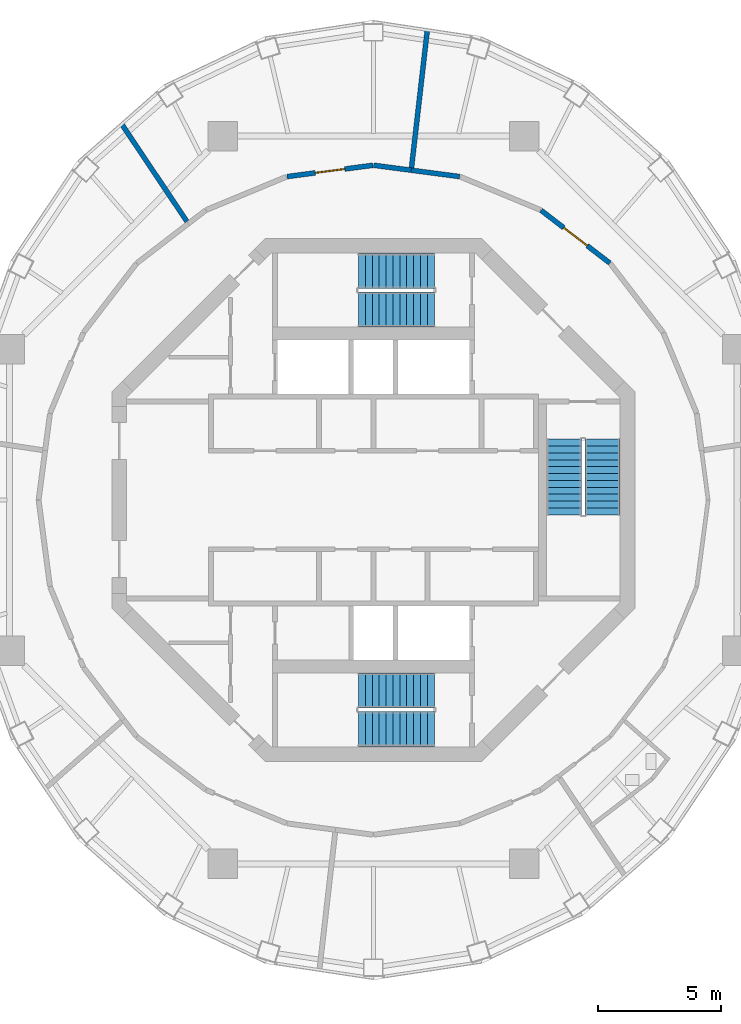
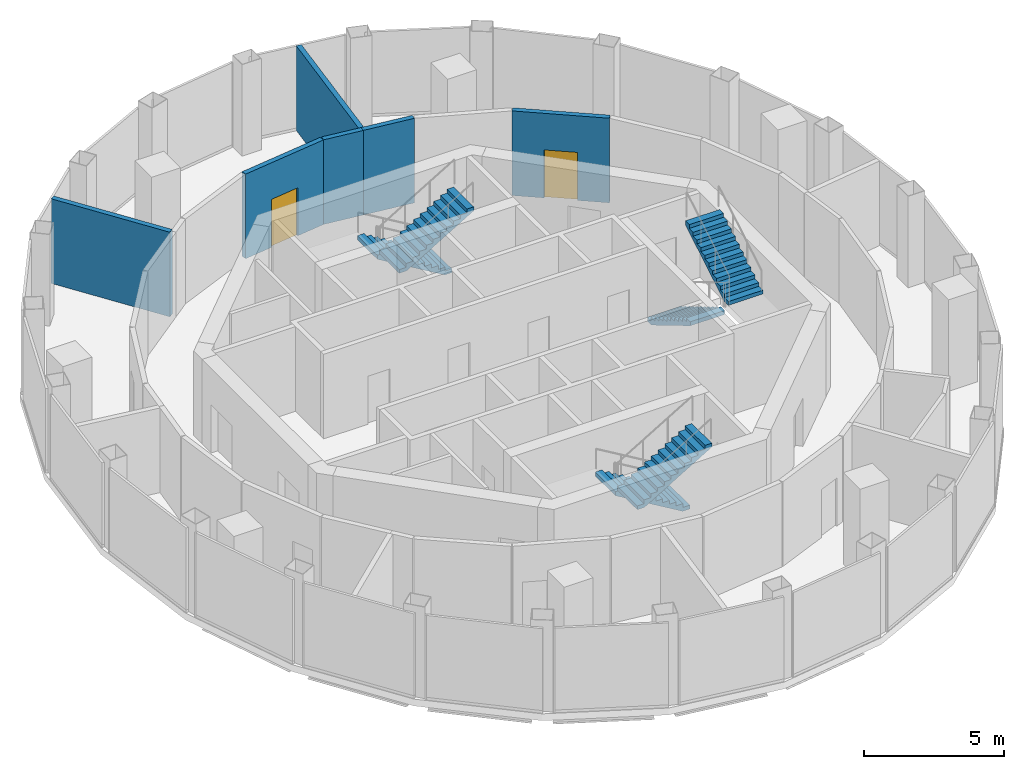
# One storey, part 10 of 12: 6 stair flights, 6 walls, 2 doors, 2 openings, 3 elements without a shape of their own.
"""IFC4 building model written with IfcOpenShell, lengths in metres."""

from ifc_helpers import new_model, si_unit, direction, frame, frame_2d, origin, place, context, subcontext, project, spatial, polyline, rectangle, outline, extrude, material, layer, layer_set, type_object, element, fill, aggregate, save


model = new_model("IFC4")

# Units and contexts
model_context = context("Model", 3, precision=1e-05, world=origin(), true_north=direction((0.0, 1.0)))
body_context = subcontext(model_context, "Body", "Model", "MODEL_VIEW")
ifc_project = project(units=[si_unit("LENGTHUNIT", "METRE"), si_unit("AREAUNIT", "SQUARE_METRE"), si_unit("VOLUMEUNIT", "CUBIC_METRE"), si_unit("PLANEANGLEUNIT", "RADIAN"), si_unit("MASSUNIT", "GRAM", prefix="KILO")], contexts=[model_context])

# Site, building, storey
site_placement = place(None, origin())
site = spatial("IfcSite", under=ifc_project, at=site_placement, CompositionType="ELEMENT")
building_placement = place(site_placement, origin())
building = spatial("IfcBuilding", under=site, at=building_placement, Name="Nagisa Residences", CompositionType="ELEMENT")
storey_placement = place(building_placement, frame((0.0, 0.0, 328.89990234375)))
storey = spatial("IfcBuildingStorey", under=building, at=storey_placement, Name="L81", CompositionType="ELEMENT", Elevation=328.89990234375)

# Wall
ifc_material_1 = material(Name="Gypsum board on steel studs", Category="steel")
ifc_layer = layer(ifc_material_1, 0.199951171875)
ifc_layer_set = layer_set([ifc_layer], Name="Plant room wall EI120 200")
wall_type = type_object("IfcWallType", Name="Plant room wall EI120 200", PredefinedType="PARTITIONING", material=ifc_layer_set)
wall_1_placement = place(storey_placement, frame((-7.572265625, 11.311279296875, 0.0), z_axis=(0.0, 0.0, 1.0), x_axis=(-0.55629198168, 0.830986901893, 0.0)))
element("IfcWall", 1, at=wall_1_placement, inside=storey, type_object=wall_type, Name="wall:L81:am020", PredefinedType="PARTITIONING", context=body_context, shape_type="SweptSolid", body=[
    extrude(rectangle(XDim=4.73974609375, YDim=0.199951171875, at=frame_2d((2.369873046875, 0.0))), origin(), (0.0, 0.0, 1.0), 3.7001953125),
])

# Wall, opening, door
wall_2_placement = place(storey_placement, frame((-3.5048828125, 13.138671875, 0.0), z_axis=(0.0, 0.0, 1.0), x_axis=(0.991452406768, 0.130468866457, 0.0)))
wall_2 = element("IfcWall", 2, at=wall_2_placement, inside=storey, type_object=wall_type, Name="wall:L81:am025", PredefinedType="PARTITIONING", context=body_context, shape_type="SweptSolid", body=[
    extrude(rectangle(XDim=3.519775390625, YDim=0.199951171875, at=frame_2d((1.759765625, 0.0))), origin(), (0.0, 0.0, 1.0), 3.7001953125),
])
opening_1_placement = place(wall_2_placement, frame((1.159912109375, 0.0, 0.0)))
opening_1 = element("IfcOpeningElement", 3, at=opening_1_placement, cuts=wall_2, Name="Opening L81-A02", PredefinedType="OPENING", context=body_context, shape_type="SweptSolid", body=[
    extrude(rectangle(XDim=1.199951171875, YDim=2.10009765625, at=frame_2d((0.60009765625, 1.050048828125))), frame((0.0, 0.10986328125, 0.0), z_axis=(0.0, -1.0, 0.0), x_axis=(1.0, 0.0, 0.0)), (0.0, 0.0, 1.0), 0.219970703125),
])
ifc_material_2 = material(Name="Steel fire door", Category="steel")
door_type = type_object("IfcDoorType", Name="Fire door EI120 1200x2100 single swing", OperationType="NOTDEFINED", PredefinedType="DOOR", material=ifc_material_2)
door_1_placement = place(opening_1_placement, frame((1.199951171875, 0.0, 0.0), x_axis=(-1.0, 0.0, 0.0)))
door_1 = element("IfcDoor", 4, at=door_1_placement, inside=storey, type_object=door_type, Name="Cooling tower room door", OperationType="SINGLE_SWING_LEFT", OverallHeight=2.10009765625, OverallWidth=1.199951171875, PredefinedType="DOOR", context=body_context, shape_type="SweptSolid", body=[
    extrude(rectangle(XDim=1.199951171875, YDim=2.10009765625, at=frame_2d((0.60009765625, 1.050048828125))), frame((0.0, 0.02490234375, 0.0), z_axis=(0.0, -1.0, 0.0), x_axis=(1.0, 0.0, 0.0)), (0.0, 0.0, 1.0), 0.050048828125),
])
fill(opening_1, door_1)

# Walls
wall_3_placement = place(storey_placement, frame((0.01513671875, 13.597900390625, 0.0), z_axis=(0.0, 0.0, 1.0), x_axis=(0.991449967232, -0.13048740351, 0.0)))
element("IfcWall", 5, at=wall_3_placement, inside=storey, type_object=wall_type, Name="wall:L81:am029", PredefinedType="PARTITIONING", context=body_context, shape_type="SweptSolid", body=[
    extrude(rectangle(XDim=1.5361328125, YDim=0.199951171875, at=frame_2d((0.76806640625, 0.0))), origin(), (0.0, 0.0, 1.0), 3.7001953125),
])
wall_4_placement = place(storey_placement, frame((1.549560546875, 13.496826171875, 0.0), z_axis=(0.0, 0.0, 1.0), x_axis=(0.114057329834, 0.993474169524, 0.0)))
element("IfcWall", 6, at=wall_4_placement, inside=storey, type_object=wall_type, Name="wall:L81:am030", PredefinedType="PARTITIONING", context=body_context, shape_type="SweptSolid", body=[
    extrude(rectangle(XDim=5.608154296875, YDim=0.199951171875, at=frame_2d((2.80419921875, 0.0))), origin(), (0.0, 0.0, 1.0), 3.7001953125),
])
wall_5_placement = place(storey_placement, frame((1.5380859375, 13.3974609375, 0.0), z_axis=(0.0, 0.0, 1.0), x_axis=(0.991454295543, -0.130454512571, 0.0)))
element("IfcWall", 7, at=wall_5_placement, inside=storey, type_object=wall_type, Name="wall:L81:am031", PredefinedType="PARTITIONING", context=body_context, shape_type="SweptSolid", body=[
    extrude(rectangle(XDim=1.983642578125, YDim=0.199951171875, at=frame_2d((0.99169921875, 0.0))), origin(), (0.0, 0.0, 1.0), 3.7001953125),
])

# Wall, opening, door
wall_6_placement = place(storey_placement, frame((6.81201171875, 11.7685546875, 0.0), z_axis=(0.0, 0.0, 1.0), x_axis=(0.793402024283, -0.608697977542, 0.0)))
wall_6 = element("IfcWall", 8, at=wall_6_placement, inside=storey, type_object=wall_type, Name="wall:L81:am035", PredefinedType="PARTITIONING", context=body_context, shape_type="SweptSolid", body=[
    extrude(rectangle(XDim=3.52001953125, YDim=0.199951171875, at=frame_2d((1.760009765625, 0.0))), origin(), (0.0, 0.0, 1.0), 3.7001953125),
])
opening_2_placement = place(wall_6_placement, frame((1.159912109375, 0.0, 0.0)))
opening_2 = element("IfcOpeningElement", 9, at=opening_2_placement, cuts=wall_6, Name="Opening L81-A01", PredefinedType="OPENING", context=body_context, shape_type="SweptSolid", body=[
    extrude(rectangle(XDim=1.199951171875, YDim=2.10009765625, at=frame_2d((0.60009765625, 1.050048828125))), frame((0.0, 0.10986328125, 0.0), z_axis=(0.0, -1.0, 0.0), x_axis=(1.0, 0.0, 0.0)), (0.0, 0.0, 1.0), 0.219970703125),
])
door_2_placement = place(opening_2_placement, frame((1.199951171875, 0.0, 0.0), x_axis=(-1.0, 0.0, 0.0)))
door_2 = element("IfcDoor", 10, at=door_2_placement, inside=storey, type_object=door_type, Name="Air handling plant room 2 door", OperationType="SINGLE_SWING_RIGHT", OverallHeight=2.10009765625, OverallWidth=1.199951171875, PredefinedType="DOOR", context=body_context, shape_type="SweptSolid", body=[
    extrude(rectangle(XDim=1.199951171875, YDim=2.10009765625, at=frame_2d((0.60009765625, 1.050048828125))), frame((0.0, 0.02490234375, 0.0), z_axis=(0.0, -1.0, 0.0), x_axis=(1.0, 0.0, 0.0)), (0.0, 0.0, 1.0), 0.050048828125),
])
fill(opening_2, door_2)

# Stair, stair flights
ifc_material_3 = material(Name="Concrete C60", Category="concrete")
stair_type = type_object("IfcStairType", Name="Exit stair", PredefinedType="HALF_TURN_STAIR", material=ifc_material_3)
stair_1_placement = place(storey_placement, origin())
stair_1 = element("IfcStair", 11, at=stair_1_placement, inside=storey, type_object=stair_type, Name="L81 Exit stair E", PredefinedType="HALF_TURN_STAIR")
ifc_material_4 = material(Name="Concrete C60", Category="concrete")
stair_flight_type = type_object("IfcStairFlightType", Name="Exit stair flight", PredefinedType="STRAIGHT", material=ifc_material_4)
stair_flight_1_placement = place(storey_placement, frame((7.737060546875, 2.47509765625, 0.0), z_axis=(0.0, 0.0, 1.0), x_axis=(0.0, -1.0, 0.0)))
stair_flight_1 = element("IfcStairFlight", 12, at=stair_flight_1_placement, type_object=stair_flight_type, Name="ST-E flight 1", NumberOfRisers=12, NumberOfTreads=11, PredefinedType="STRAIGHT", RiserHeight=0.166666667, TreadLength=0.28, context=body_context, shape_type="SweptSolid", body=[
    extrude(outline(polyline([(0.0, 0.0), (0.0, 0.166748046875), (0.280029296875, 0.166748046875), (0.280029296875, 0.333251953125), (0.56005859375, 0.333251953125), (0.56005859375, 0.5), (0.840087890625, 0.5), (0.840087890625, 0.666748046875), (1.1201171875, 0.666748046875), (1.1201171875, 0.833251953125), (1.39990234375, 0.833251953125), (1.39990234375, 1.0), (1.679931640625, 1.0), (1.679931640625, 1.166748046875), (1.9599609375, 1.166748046875), (1.9599609375, 1.333251953125), (2.239990234375, 1.333251953125), (2.239990234375, 1.5), (2.52001953125, 1.5), (2.52001953125, 1.666748046875), (2.800048828125, 1.666748046875), (2.800048828125, 1.833251953125), (3.080078125, 1.833251953125), (3.080078125, 2.0), (3.080078125, 1.658935546875), (0.29296875, 0.0), (0.0, 0.0)])), frame((0.0, 0.71240234375, 0.0), z_axis=(0.0, -1.0, 0.0), x_axis=(1.0, 0.0, 0.0)), (0.0, 0.0, 1.0), 1.425048828125),
])
stair_flight_2_placement = place(storey_placement, frame((9.31201171875, -0.60498046875, 2.0), z_axis=(0.0, 0.0, 1.0), x_axis=(0.0, 1.0, 0.0)))
stair_flight_2 = element("IfcStairFlight", 13, at=stair_flight_2_placement, type_object=stair_flight_type, Name="ST-E flight 2", NumberOfRisers=12, NumberOfTreads=11, PredefinedType="STRAIGHT", RiserHeight=0.166666667, TreadLength=0.28, context=body_context, shape_type="SweptSolid", body=[
    extrude(outline(polyline([(0.0, 0.0), (0.0, 0.166748046875), (0.280029296875, 0.166748046875), (0.280029296875, 0.333251953125), (0.56005859375, 0.333251953125), (0.56005859375, 0.5), (0.840087890625, 0.5), (0.840087890625, 0.666748046875), (1.1201171875, 0.666748046875), (1.1201171875, 0.833251953125), (1.39990234375, 0.833251953125), (1.39990234375, 1.0), (1.679931640625, 1.0), (1.679931640625, 1.166748046875), (1.9599609375, 1.166748046875), (1.9599609375, 1.333251953125), (2.239990234375, 1.333251953125), (2.239990234375, 1.5), (2.52001953125, 1.5), (2.52001953125, 1.666748046875), (2.800048828125, 1.666748046875), (2.800048828125, 1.833251953125), (3.080078125, 1.833251953125), (3.080078125, 2.0), (3.080078125, 1.658935546875), (0.29296875, 0.0), (0.0, 0.0)])), frame((0.0, 0.71240234375, 0.0), z_axis=(0.0, -1.0, 0.0), x_axis=(1.0, 0.0, 0.0)), (0.0, 0.0, 1.0), 1.425048828125),
])
aggregate(stair_1, [stair_flight_1, stair_flight_2])

stair_2_placement = place(storey_placement, origin())
stair_2 = element("IfcStair", 14, at=stair_2_placement, inside=storey, type_object=stair_type, Name="L81 Exit stair N", PredefinedType="HALF_TURN_STAIR")
stair_flight_3_placement = place(storey_placement, frame((2.47509765625, 9.31201171875, 0.0), z_axis=(0.0, 0.0, 1.0), x_axis=(-1.0, 0.0, 0.0)))
stair_flight_3 = element("IfcStairFlight", 15, at=stair_flight_3_placement, type_object=stair_flight_type, Name="ST-N flight 1", NumberOfRisers=12, NumberOfTreads=11, PredefinedType="STRAIGHT", RiserHeight=0.166666667, TreadLength=0.28, context=body_context, shape_type="SweptSolid", body=[
    extrude(outline(polyline([(0.0, 0.0), (0.0, 0.166748046875), (0.280029296875, 0.166748046875), (0.280029296875, 0.333251953125), (0.56005859375, 0.333251953125), (0.56005859375, 0.5), (0.840087890625, 0.5), (0.840087890625, 0.666748046875), (1.1201171875, 0.666748046875), (1.1201171875, 0.833251953125), (1.39990234375, 0.833251953125), (1.39990234375, 1.0), (1.679931640625, 1.0), (1.679931640625, 1.166748046875), (1.9599609375, 1.166748046875), (1.9599609375, 1.333251953125), (2.239990234375, 1.333251953125), (2.239990234375, 1.5), (2.52001953125, 1.5), (2.52001953125, 1.666748046875), (2.800048828125, 1.666748046875), (2.800048828125, 1.833251953125), (3.080078125, 1.833251953125), (3.080078125, 2.0), (3.080078125, 1.658935546875), (0.29296875, 0.0), (0.0, 0.0)])), frame((0.0, 0.71240234375, 0.0), z_axis=(0.0, -1.0, 0.0), x_axis=(1.0, 0.0, 0.0)), (0.0, 0.0, 1.0), 1.425048828125),
])
stair_flight_4_placement = place(storey_placement, frame((-0.60498046875, 7.737060546875, 2.0), z_axis=(0.0, 0.0, 1.0), x_axis=(1.0, 0.0, 0.0)))
stair_flight_4 = element("IfcStairFlight", 16, at=stair_flight_4_placement, type_object=stair_flight_type, Name="ST-N flight 2", NumberOfRisers=12, NumberOfTreads=11, PredefinedType="STRAIGHT", RiserHeight=0.166666667, TreadLength=0.28, context=body_context, shape_type="SweptSolid", body=[
    extrude(outline(polyline([(0.0, 0.0), (0.0, 0.166748046875), (0.280029296875, 0.166748046875), (0.280029296875, 0.333251953125), (0.56005859375, 0.333251953125), (0.56005859375, 0.5), (0.840087890625, 0.5), (0.840087890625, 0.666748046875), (1.1201171875, 0.666748046875), (1.1201171875, 0.833251953125), (1.39990234375, 0.833251953125), (1.39990234375, 1.0), (1.679931640625, 1.0), (1.679931640625, 1.166748046875), (1.9599609375, 1.166748046875), (1.9599609375, 1.333251953125), (2.239990234375, 1.333251953125), (2.239990234375, 1.5), (2.52001953125, 1.5), (2.52001953125, 1.666748046875), (2.800048828125, 1.666748046875), (2.800048828125, 1.833251953125), (3.080078125, 1.833251953125), (3.080078125, 2.0), (3.080078125, 1.658935546875), (0.29296875, 0.0), (0.0, 0.0)])), frame((0.0, 0.71240234375, 0.0), z_axis=(0.0, -1.0, 0.0), x_axis=(1.0, 0.0, 0.0)), (0.0, 0.0, 1.0), 1.425048828125),
])
aggregate(stair_2, [stair_flight_3, stair_flight_4])

stair_3_placement = place(storey_placement, origin())
stair_3 = element("IfcStair", 17, at=stair_3_placement, inside=storey, type_object=stair_type, Name="L81 Exit stair S", PredefinedType="HALF_TURN_STAIR")
stair_flight_5_placement = place(storey_placement, frame((2.47509765625, -7.737060546875, 0.0), z_axis=(0.0, 0.0, 1.0), x_axis=(-1.0, 0.0, 0.0)))
stair_flight_5 = element("IfcStairFlight", 18, at=stair_flight_5_placement, type_object=stair_flight_type, Name="ST-S flight 1", NumberOfRisers=12, NumberOfTreads=11, PredefinedType="STRAIGHT", RiserHeight=0.166666667, TreadLength=0.28, context=body_context, shape_type="SweptSolid", body=[
    extrude(outline(polyline([(0.0, 0.0), (0.0, 0.166748046875), (0.280029296875, 0.166748046875), (0.280029296875, 0.333251953125), (0.56005859375, 0.333251953125), (0.56005859375, 0.5), (0.840087890625, 0.5), (0.840087890625, 0.666748046875), (1.1201171875, 0.666748046875), (1.1201171875, 0.833251953125), (1.39990234375, 0.833251953125), (1.39990234375, 1.0), (1.679931640625, 1.0), (1.679931640625, 1.166748046875), (1.9599609375, 1.166748046875), (1.9599609375, 1.333251953125), (2.239990234375, 1.333251953125), (2.239990234375, 1.5), (2.52001953125, 1.5), (2.52001953125, 1.666748046875), (2.800048828125, 1.666748046875), (2.800048828125, 1.833251953125), (3.080078125, 1.833251953125), (3.080078125, 2.0), (3.080078125, 1.658935546875), (0.29296875, 0.0), (0.0, 0.0)])), frame((0.0, 0.71240234375, 0.0), z_axis=(0.0, -1.0, 0.0), x_axis=(1.0, 0.0, 0.0)), (0.0, 0.0, 1.0), 1.425048828125),
])
stair_flight_6_placement = place(storey_placement, frame((-0.60498046875, -9.31201171875, 2.0), z_axis=(0.0, 0.0, 1.0), x_axis=(1.0, 0.0, 0.0)))
stair_flight_6 = element("IfcStairFlight", 19, at=stair_flight_6_placement, type_object=stair_flight_type, Name="ST-S flight 2", NumberOfRisers=12, NumberOfTreads=11, PredefinedType="STRAIGHT", RiserHeight=0.166666667, TreadLength=0.28, context=body_context, shape_type="SweptSolid", body=[
    extrude(outline(polyline([(0.0, 0.0), (0.0, 0.166748046875), (0.280029296875, 0.166748046875), (0.280029296875, 0.333251953125), (0.56005859375, 0.333251953125), (0.56005859375, 0.5), (0.840087890625, 0.5), (0.840087890625, 0.666748046875), (1.1201171875, 0.666748046875), (1.1201171875, 0.833251953125), (1.39990234375, 0.833251953125), (1.39990234375, 1.0), (1.679931640625, 1.0), (1.679931640625, 1.166748046875), (1.9599609375, 1.166748046875), (1.9599609375, 1.333251953125), (2.239990234375, 1.333251953125), (2.239990234375, 1.5), (2.52001953125, 1.5), (2.52001953125, 1.666748046875), (2.800048828125, 1.666748046875), (2.800048828125, 1.833251953125), (3.080078125, 1.833251953125), (3.080078125, 2.0), (3.080078125, 1.658935546875), (0.29296875, 0.0), (0.0, 0.0)])), frame((0.0, 0.71240234375, 0.0), z_axis=(0.0, -1.0, 0.0), x_axis=(1.0, 0.0, 0.0)), (0.0, 0.0, 1.0), 1.425048828125),
])
aggregate(stair_3, [stair_flight_5, stair_flight_6])

save(model, "model.ifc")
